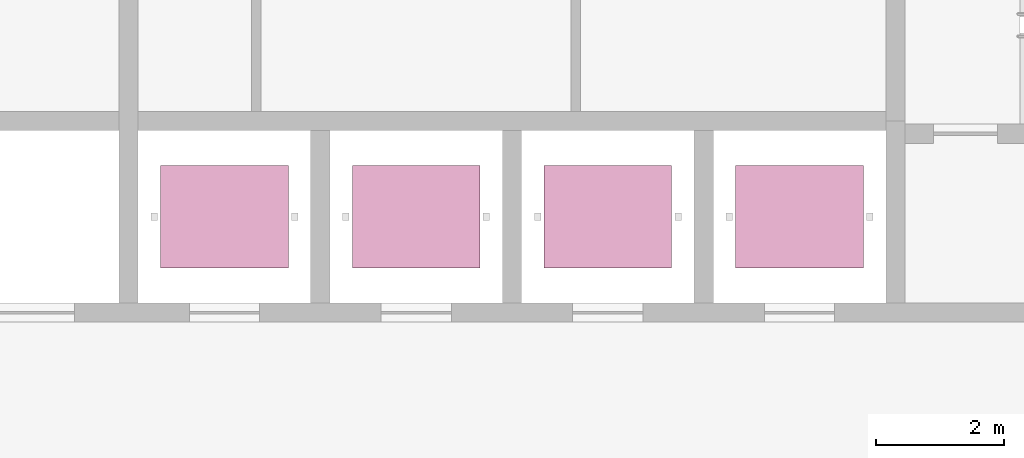
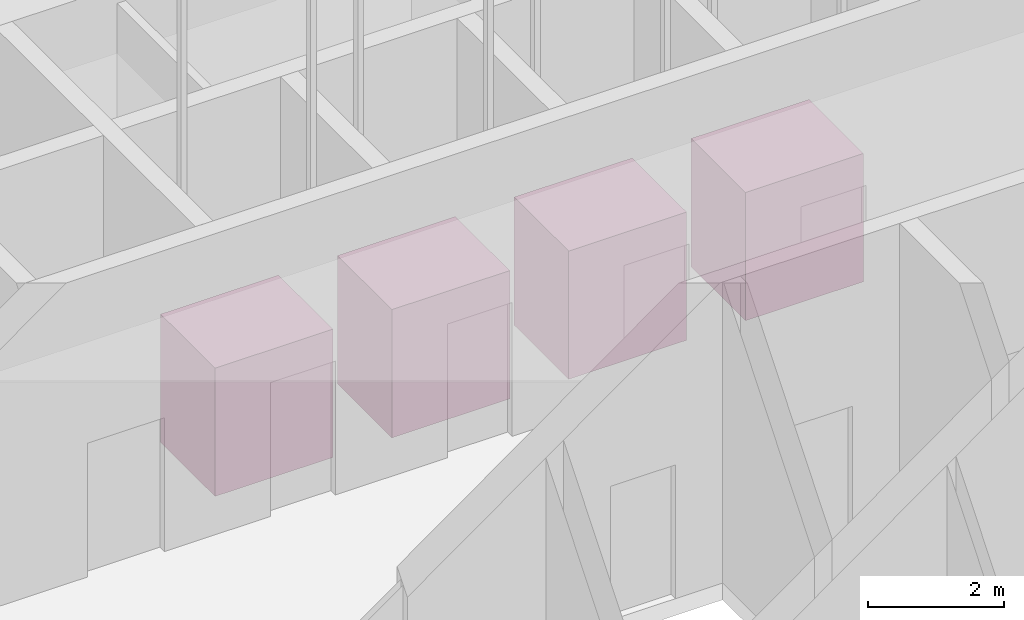
# One storey, part 48 of 56: 4 transport elements.
"""IFC4 building model written with IfcOpenShell, lengths in metres."""

from ifc_helpers import new_model, si_unit, direction, frame, origin, origin_2d, place, context, subcontext, project, spatial, rectangle, extrude, material, type_object, element, save


model = new_model("IFC4")

# Units and contexts
model_context = context("Model", 3, precision=1e-05, world=origin(), true_north=direction((0.0, 1.0)))
body_context = subcontext(model_context, "Body", "Model", "MODEL_VIEW")
ifc_project = project(units=[si_unit("LENGTHUNIT", "METRE"), si_unit("AREAUNIT", "SQUARE_METRE"), si_unit("VOLUMEUNIT", "CUBIC_METRE"), si_unit("PLANEANGLEUNIT", "RADIAN"), si_unit("MASSUNIT", "GRAM", prefix="KILO")], contexts=[model_context])

# Site, building, storey
site_placement = place(None, origin())
site = spatial("IfcSite", under=ifc_project, at=site_placement, CompositionType="ELEMENT")
building_placement = place(site_placement, origin())
building = spatial("IfcBuilding", under=site, at=building_placement, Name="Zorevar Civic Tower", CompositionType="ELEMENT")
storey_placement = place(building_placement, origin())
storey = spatial("IfcBuildingStorey", under=building, at=storey_placement, Name="L00", CompositionType="ELEMENT", Elevation=0.0)

# Transport elements
ifc_material = material(Name="Lift car")
transport_element_type = type_object("IfcTransportElementType", Name="Passenger lift 2000x1600", PredefinedType="ELEVATOR", material=ifc_material)
for number, where, z_axis, x_axis, name in (
    (1, (34.5, 30.89990234375, 0.0), (0.0, 0.0, 1.0), (1.0, 0.0, 0.0), "Passenger lift LM1"),
    (2, (31.5, 30.89990234375, 0.0), (0.0, 0.0, 1.0), (1.0, 0.0, 0.0), "Passenger lift LM2"),
    (3, (28.5, 30.89990234375, 0.0), (0.0, 0.0, 1.0), (1.0, 0.0, 0.0), "Passenger lift LH1"),
    (4, (25.5, 30.89990234375, 0.0), (0.0, 0.0, 1.0), (1.0, 0.0, 0.0), "Passenger lift LH2"),
):
    element("IfcTransportElement", number, at=place(storey_placement, frame(where, z_axis=z_axis, x_axis=x_axis)), inside=storey, type_object=transport_element_type, Name=name, PredefinedType="ELEVATOR", context=body_context, shape_type="SweptSolid", body=[
        extrude(rectangle(XDim=2.0, YDim=1.60009765625, at=origin_2d()), origin(), (0.0, 0.0, 1.0), 2.300048828125),
    ])

save(model, "model.ifc")
